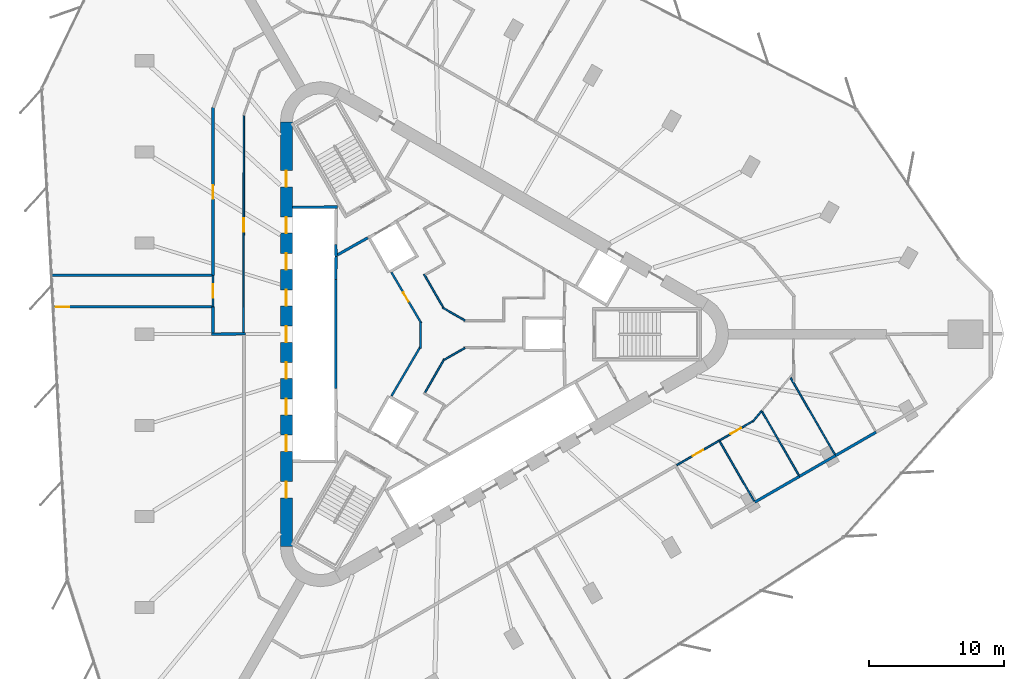
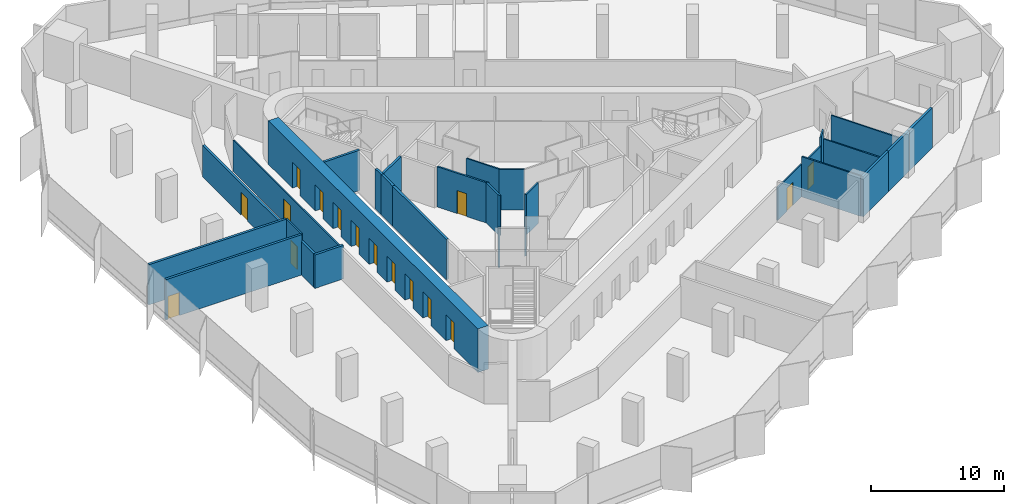
# One storey, part 9 of 14: 29 walls, 16 doors, 16 openings.
"""IFC4 building model written with IfcOpenShell, lengths in metres."""

from ifc_helpers import new_model, si_unit, direction, frame, frame_2d, origin, place, context, subcontext, project, spatial, rectangle, extrude, material, layer, layer_set, type_object, element, fill, save


model = new_model("IFC4")

# Units and contexts
model_context = context("Model", 3, precision=1e-05, world=origin(), true_north=direction((0.0, 1.0)))
body_context = subcontext(model_context, "Body", "Model", "MODEL_VIEW")
ifc_project = project(units=[si_unit("LENGTHUNIT", "METRE"), si_unit("AREAUNIT", "SQUARE_METRE"), si_unit("VOLUMEUNIT", "CUBIC_METRE"), si_unit("PLANEANGLEUNIT", "RADIAN"), si_unit("MASSUNIT", "GRAM", prefix="KILO")], contexts=[model_context])

# Site, building, storey
site_placement = place(None, origin())
site = spatial("IfcSite", under=ifc_project, at=site_placement, CompositionType="ELEMENT")
building_placement = place(site_placement, origin())
building = spatial("IfcBuilding", under=site, at=building_placement, Name="Tanit Gate Tower", CompositionType="ELEMENT")
storey_placement = place(building_placement, frame((0.0, 0.0, 213.199951171875)))
storey = spatial("IfcBuildingStorey", under=building, at=storey_placement, Name="L47", CompositionType="ELEMENT", Elevation=213.199951171875)

# Wall, openings, doors
ifc_material_1 = material(Name="Concrete C50/60", Category="concrete")
ifc_layer_1 = layer(ifc_material_1, 0.89990234375)
ifc_layer_set_1 = layer_set([ifc_layer_1], Name="CORE WALL 900 C50/60")
wall_type_1 = type_object("IfcWallType", Name="CORE WALL 900 C50/60", PredefinedType="SHEAR", material=ifc_layer_set_1)
wall_1_placement = place(storey_placement, frame((-11.64990234375, 15.76171875, 0.0), z_axis=(0.0, 0.0, 1.0), x_axis=(0.0, -1.0, 0.0)))
wall_1 = element("IfcWall", 1, at=wall_1_placement, inside=storey, type_object=wall_type_1, Name="CORE WALL", PredefinedType="SHEAR", context=body_context, shape_type="SweptSolid", body=[
    extrude(rectangle(XDim=31.5234375, YDim=0.89990234375, at=frame_2d((15.76171875, 0.0))), origin(), (0.0, 0.0, 1.0), 4.0),
])
opening_1_placement = place(wall_1_placement, frame((7.061767578125, 0.0, 0.0)))
opening_1 = element("IfcOpeningElement", 2, at=opening_1_placement, cuts=wall_1, Name="Opening LDML1-S12", PredefinedType="OPENING", context=body_context, shape_type="SweptSolid", body=[
    extrude(rectangle(XDim=1.199951171875, YDim=2.39990234375, at=frame_2d((0.60009765625, 1.199951171875))), frame((0.0, 0.4599609375, 0.0), z_axis=(0.0, -1.0, 0.0), x_axis=(1.0, 0.0, 0.0)), (0.0, 0.0, 1.0), 0.919921875),
])
opening_2_placement = place(wall_1_placement, frame((9.76171875, 0.0, 0.0)))
opening_2 = element("IfcOpeningElement", 3, at=opening_2_placement, cuts=wall_1, Name="Opening LDML2-S12", PredefinedType="OPENING", context=body_context, shape_type="SweptSolid", body=[
    extrude(rectangle(XDim=1.199951171875, YDim=2.39990234375, at=frame_2d((0.60009765625, 1.199951171875))), frame((0.0, 0.4599609375, 0.0), z_axis=(0.0, -1.0, 0.0), x_axis=(1.0, 0.0, 0.0)), (0.0, 0.0, 1.0), 0.919921875),
])
opening_3_placement = place(wall_1_placement, frame((12.461669921875, 0.0, 0.0)))
opening_3 = element("IfcOpeningElement", 4, at=opening_3_placement, cuts=wall_1, Name="Opening LDML3-S12", PredefinedType="OPENING", context=body_context, shape_type="SweptSolid", body=[
    extrude(rectangle(XDim=1.199951171875, YDim=2.39990234375, at=frame_2d((0.60009765625, 1.199951171875))), frame((0.0, 0.4599609375, 0.0), z_axis=(0.0, -1.0, 0.0), x_axis=(1.0, 0.0, 0.0)), (0.0, 0.0, 1.0), 0.919921875),
])
opening_4_placement = place(wall_1_placement, frame((15.16162109375, 0.0, 0.0)))
opening_4 = element("IfcOpeningElement", 5, at=opening_4_placement, cuts=wall_1, Name="Opening LDML4-S12", PredefinedType="OPENING", context=body_context, shape_type="SweptSolid", body=[
    extrude(rectangle(XDim=1.199951171875, YDim=2.39990234375, at=frame_2d((0.60009765625, 1.199951171875))), frame((0.0, 0.4599609375, 0.0), z_axis=(0.0, -1.0, 0.0), x_axis=(1.0, 0.0, 0.0)), (0.0, 0.0, 1.0), 0.919921875),
])
opening_5_placement = place(wall_1_placement, frame((17.86181640625, 0.0, 0.0)))
opening_5 = element("IfcOpeningElement", 6, at=opening_5_placement, cuts=wall_1, Name="Opening LDML5-S12", PredefinedType="OPENING", context=body_context, shape_type="SweptSolid", body=[
    extrude(rectangle(XDim=1.199951171875, YDim=2.39990234375, at=frame_2d((0.60009765625, 1.199951171875))), frame((0.0, 0.4599609375, 0.0), z_axis=(0.0, -1.0, 0.0), x_axis=(1.0, 0.0, 0.0)), (0.0, 0.0, 1.0), 0.919921875),
])
opening_6_placement = place(wall_1_placement, frame((20.561767578125, 0.0, 0.0)))
opening_6 = element("IfcOpeningElement", 7, at=opening_6_placement, cuts=wall_1, Name="Opening LDML6-S12", PredefinedType="OPENING", context=body_context, shape_type="SweptSolid", body=[
    extrude(rectangle(XDim=1.199951171875, YDim=2.39990234375, at=frame_2d((0.60009765625, 1.199951171875))), frame((0.0, 0.4599609375, 0.0), z_axis=(0.0, -1.0, 0.0), x_axis=(1.0, 0.0, 0.0)), (0.0, 0.0, 1.0), 0.919921875),
])
opening_7_placement = place(wall_1_placement, frame((23.26171875, 0.0, 0.0)))
opening_7 = element("IfcOpeningElement", 8, at=opening_7_placement, cuts=wall_1, Name="Opening LDML7-S12", PredefinedType="OPENING", context=body_context, shape_type="SweptSolid", body=[
    extrude(rectangle(XDim=1.199951171875, YDim=2.39990234375, at=frame_2d((0.60009765625, 1.199951171875))), frame((0.0, 0.4599609375, 0.0), z_axis=(0.0, -1.0, 0.0), x_axis=(1.0, 0.0, 0.0)), (0.0, 0.0, 1.0), 0.919921875),
])
opening_8_placement = place(wall_1_placement, frame((3.61181640625, 0.0, 0.0)))
opening_8 = element("IfcOpeningElement", 9, at=opening_8_placement, cuts=wall_1, Name="Opening F12-S12-FL2", PredefinedType="OPENING", context=body_context, shape_type="SweptSolid", body=[
    extrude(rectangle(XDim=1.199951171875, YDim=2.39990234375, at=frame_2d((0.60009765625, 1.199951171875))), frame((0.0, 0.4599609375, 0.0), z_axis=(0.0, -1.0, 0.0), x_axis=(1.0, 0.0, 0.0)), (0.0, 0.0, 1.0), 0.919921875),
])
opening_9_placement = place(wall_1_placement, frame((26.711669921875, 0.0, 0.0)))
opening_9 = element("IfcOpeningElement", 10, at=opening_9_placement, cuts=wall_1, Name="Opening F12-S12-S3", PredefinedType="OPENING", context=body_context, shape_type="SweptSolid", body=[
    extrude(rectangle(XDim=1.199951171875, YDim=2.39990234375, at=frame_2d((0.60009765625, 1.199951171875))), frame((0.0, 0.4599609375, 0.0), z_axis=(0.0, -1.0, 0.0), x_axis=(1.0, 0.0, 0.0)), (0.0, 0.0, 1.0), 0.919921875),
])
ifc_material_2 = material(Name="Fire-rated steel door leaf", Category="steel")
door_type_1 = type_object("IfcDoorType", Name="INT-DOOR-FIRE-LOBBY-1200", OperationType="NOTDEFINED", PredefinedType="USERDEFINED", material=ifc_material_2)
door_1_placement = place(opening_8_placement, origin())
door_1 = element("IfcDoor", 11, at=door_1_placement, inside=storey, type_object=door_type_1, Name="Door F12-S12-FL2", ObjectType="FIRE DOOR", OperationType="SINGLE_SWING_LEFT", OverallHeight=2.39990234375, OverallWidth=1.199951171875, PredefinedType="USERDEFINED", context=body_context, shape_type="SweptSolid", body=[
    extrude(rectangle(XDim=1.199951171875, YDim=2.39990234375, at=frame_2d((0.60009765625, 1.199951171875))), frame((0.0, 0.02490234375, 0.0), z_axis=(0.0, -1.0, 0.0), x_axis=(1.0, 0.0, 0.0)), (0.0, 0.0, 1.0), 0.050048828125),
])
fill(opening_8, door_1)
door_2_placement = place(opening_9_placement, origin())
door_2 = element("IfcDoor", 12, at=door_2_placement, inside=storey, type_object=door_type_1, Name="Door F12-S12-S3", ObjectType="FIRE DOOR", OperationType="SINGLE_SWING_RIGHT", OverallHeight=2.39990234375, OverallWidth=1.199951171875, PredefinedType="USERDEFINED", context=body_context, shape_type="SweptSolid", body=[
    extrude(rectangle(XDim=1.199951171875, YDim=2.39990234375, at=frame_2d((0.60009765625, 1.199951171875))), frame((0.0, 0.02490234375, 0.0), z_axis=(0.0, -1.0, 0.0), x_axis=(1.0, 0.0, 0.0)), (0.0, 0.0, 1.0), 0.050048828125),
])
fill(opening_9, door_2)
ifc_material_3 = material(Name="Stainless steel sliding door leaf", Category="steel")
door_type_2 = type_object("IfcDoorType", Name="INT-DOOR-LANDING-1200", OperationType="NOTDEFINED", PredefinedType="USERDEFINED", material=ifc_material_3)
door_3_placement = place(opening_1_placement, origin())
door_3 = element("IfcDoor", 13, at=door_3_placement, inside=storey, type_object=door_type_2, Name="Door LDML1-S12", ObjectType="LANDING DOOR", OperationType="SLIDING_TO_LEFT", OverallHeight=2.39990234375, OverallWidth=1.199951171875, PredefinedType="USERDEFINED", context=body_context, shape_type="SweptSolid", body=[
    extrude(rectangle(XDim=1.199951171875, YDim=2.39990234375, at=frame_2d((0.60009765625, 1.199951171875))), frame((0.0, 0.02490234375, 0.0), z_axis=(0.0, -1.0, 0.0), x_axis=(1.0, 0.0, 0.0)), (0.0, 0.0, 1.0), 0.050048828125),
])
fill(opening_1, door_3)
door_4_placement = place(opening_2_placement, origin())
door_4 = element("IfcDoor", 14, at=door_4_placement, inside=storey, type_object=door_type_2, Name="Door LDML2-S12", ObjectType="LANDING DOOR", OperationType="SLIDING_TO_LEFT", OverallHeight=2.39990234375, OverallWidth=1.199951171875, PredefinedType="USERDEFINED", context=body_context, shape_type="SweptSolid", body=[
    extrude(rectangle(XDim=1.199951171875, YDim=2.39990234375, at=frame_2d((0.60009765625, 1.199951171875))), frame((0.0, 0.02490234375, 0.0), z_axis=(0.0, -1.0, 0.0), x_axis=(1.0, 0.0, 0.0)), (0.0, 0.0, 1.0), 0.050048828125),
])
fill(opening_2, door_4)
door_5_placement = place(opening_3_placement, origin())
door_5 = element("IfcDoor", 15, at=door_5_placement, inside=storey, type_object=door_type_2, Name="Door LDML3-S12", ObjectType="LANDING DOOR", OperationType="SLIDING_TO_LEFT", OverallHeight=2.39990234375, OverallWidth=1.199951171875, PredefinedType="USERDEFINED", context=body_context, shape_type="SweptSolid", body=[
    extrude(rectangle(XDim=1.199951171875, YDim=2.39990234375, at=frame_2d((0.60009765625, 1.199951171875))), frame((0.0, 0.02490234375, 0.0), z_axis=(0.0, -1.0, 0.0), x_axis=(1.0, 0.0, 0.0)), (0.0, 0.0, 1.0), 0.050048828125),
])
fill(opening_3, door_5)
door_6_placement = place(opening_4_placement, origin())
door_6 = element("IfcDoor", 16, at=door_6_placement, inside=storey, type_object=door_type_2, Name="Door LDML4-S12", ObjectType="LANDING DOOR", OperationType="SLIDING_TO_LEFT", OverallHeight=2.39990234375, OverallWidth=1.199951171875, PredefinedType="USERDEFINED", context=body_context, shape_type="SweptSolid", body=[
    extrude(rectangle(XDim=1.199951171875, YDim=2.39990234375, at=frame_2d((0.60009765625, 1.199951171875))), frame((0.0, 0.02490234375, 0.0), z_axis=(0.0, -1.0, 0.0), x_axis=(1.0, 0.0, 0.0)), (0.0, 0.0, 1.0), 0.050048828125),
])
fill(opening_4, door_6)
door_7_placement = place(opening_5_placement, origin())
door_7 = element("IfcDoor", 17, at=door_7_placement, inside=storey, type_object=door_type_2, Name="Door LDML5-S12", ObjectType="LANDING DOOR", OperationType="SLIDING_TO_LEFT", OverallHeight=2.39990234375, OverallWidth=1.199951171875, PredefinedType="USERDEFINED", context=body_context, shape_type="SweptSolid", body=[
    extrude(rectangle(XDim=1.199951171875, YDim=2.39990234375, at=frame_2d((0.60009765625, 1.199951171875))), frame((0.0, 0.02490234375, 0.0), z_axis=(0.0, -1.0, 0.0), x_axis=(1.0, 0.0, 0.0)), (0.0, 0.0, 1.0), 0.050048828125),
])
fill(opening_5, door_7)
door_8_placement = place(opening_6_placement, origin())
door_8 = element("IfcDoor", 18, at=door_8_placement, inside=storey, type_object=door_type_2, Name="Door LDML6-S12", ObjectType="LANDING DOOR", OperationType="SLIDING_TO_LEFT", OverallHeight=2.39990234375, OverallWidth=1.199951171875, PredefinedType="USERDEFINED", context=body_context, shape_type="SweptSolid", body=[
    extrude(rectangle(XDim=1.199951171875, YDim=2.39990234375, at=frame_2d((0.60009765625, 1.199951171875))), frame((0.0, 0.02490234375, 0.0), z_axis=(0.0, -1.0, 0.0), x_axis=(1.0, 0.0, 0.0)), (0.0, 0.0, 1.0), 0.050048828125),
])
fill(opening_6, door_8)
door_9_placement = place(opening_7_placement, origin())
door_9 = element("IfcDoor", 19, at=door_9_placement, inside=storey, type_object=door_type_2, Name="Door LDML7-S12", ObjectType="LANDING DOOR", OperationType="SLIDING_TO_LEFT", OverallHeight=2.39990234375, OverallWidth=1.199951171875, PredefinedType="USERDEFINED", context=body_context, shape_type="SweptSolid", body=[
    extrude(rectangle(XDim=1.199951171875, YDim=2.39990234375, at=frame_2d((0.60009765625, 1.199951171875))), frame((0.0, 0.02490234375, 0.0), z_axis=(0.0, -1.0, 0.0), x_axis=(1.0, 0.0, 0.0)), (0.0, 0.0, 1.0), 0.050048828125),
])
fill(opening_7, door_9)

# Walls
ifc_material_4 = material(Name="Fire-rated gypsum board partition")
ifc_layer_2 = layer(ifc_material_4, 0.199951171875)
ifc_layer_set_2 = layer_set([ifc_layer_2], Name="INT-WALL-COMPARTMENT")
wall_type_2 = type_object("IfcWallType", Name="INT-WALL-COMPARTMENT", PredefinedType="PARTITIONING", material=ifc_layer_set_2)
wall_2_placement = place(storey_placement, frame((-5.600341796875, 7.16015625, 0.0), z_axis=(0.0, 0.0, 1.0), x_axis=(-0.871340486379, -0.490678873396, 0.0)))
element("IfcWall", 20, at=wall_2_placement, inside=storey, type_object=wall_type_2, Name="Wall Compartment W061", PredefinedType="PARTITIONING", context=body_context, shape_type="SweptSolid", body=[
    extrude(rectangle(XDim=2.580810546875, YDim=0.199951171875, at=frame_2d((1.29052734375, 0.0))), origin(), (0.0, 0.0, 1.0), 3.699951171875),
])
wall_3_placement = place(storey_placement, frame((-17.199951171875, -0.001220703125, 0.0), z_axis=(0.0, 0.0, 1.0), x_axis=(0.999915662945, 0.012987185857, 0.0)))
element("IfcWall", 21, at=wall_3_placement, inside=storey, type_object=wall_type_2, Name="Wall Compartment W090", PredefinedType="PARTITIONING", context=body_context, shape_type="SweptSolid", body=[
    extrude(rectangle(XDim=2.500244140625, YDim=0.199951171875, at=frame_2d((1.25, 0.0))), origin(), (0.0, 0.0, 1.0), 3.070068359375),
])

# Wall, opening, door
wall_4_placement = place(storey_placement, frame((-17.10009765625, 16.82275390625, 0.0), z_axis=(0.0, 0.0, 1.0), x_axis=(0.0, -1.0, 0.0)))
wall_4 = element("IfcWall", 22, at=wall_4_placement, inside=storey, type_object=wall_type_2, Name="Wall Compartment W092", PredefinedType="PARTITIONING", context=body_context, shape_type="SweptSolid", body=[
    extrude(rectangle(XDim=12.47265625, YDim=0.199951171875, at=frame_2d((6.236328125, 0.0))), origin(), (0.0, 0.0, 1.0), 2.880126953125),
])
opening_10_placement = place(wall_4_placement, frame((5.7763671875, 0.0, 0.0)))
opening_10 = element("IfcOpeningElement", 23, at=opening_10_placement, cuts=wall_4, Name="Opening F10-S12-31", PredefinedType="OPENING", context=body_context, shape_type="SweptSolid", body=[
    extrude(rectangle(XDim=1.0, YDim=2.10009765625, at=frame_2d((0.5, 1.050048828125))), frame((0.0, 0.10986328125, 0.0), z_axis=(0.0, -1.0, 0.0), x_axis=(1.0, 0.0, 0.0)), (0.0, 0.0, 1.0), 0.219970703125),
])
ifc_material_5 = material(Name="Fire-rated steel door leaf", Category="steel")
door_type_3 = type_object("IfcDoorType", Name="INT-DOOR-FIRE-1000", OperationType="NOTDEFINED", PredefinedType="USERDEFINED", material=ifc_material_5)
door_10_placement = place(opening_10_placement, origin())
door_10 = element("IfcDoor", 24, at=door_10_placement, inside=storey, type_object=door_type_3, Name="Door F10-S12-31", ObjectType="FIRE DOOR", OperationType="SINGLE_SWING_RIGHT", OverallHeight=2.10009765625, OverallWidth=1.0, PredefinedType="USERDEFINED", context=body_context, shape_type="SweptSolid", body=[
    extrude(rectangle(XDim=1.0, YDim=2.10009765625, at=frame_2d((0.5, 1.050048828125))), frame((0.0, 0.02490234375, 0.0), z_axis=(0.0, -1.0, 0.0), x_axis=(1.0, 0.0, 0.0)), (0.0, 0.0, 1.0), 0.050048828125),
])
fill(opening_10, door_10)

# Wall
wall_5_placement = place(storey_placement, frame((-17.10009765625, 2.050048828125, 0.0), z_axis=(0.0, 0.0, 1.0), x_axis=(0.0, -1.0, 0.0)))
element("IfcWall", 25, at=wall_5_placement, inside=storey, type_object=wall_type_2, Name="Wall Compartment W091", PredefinedType="PARTITIONING", context=body_context, shape_type="SweptSolid", body=[
    extrude(rectangle(XDim=1.949951171875, YDim=0.199951171875, at=frame_2d((0.97509765625, 0.0))), origin(), (0.0, 0.0, 1.0), 3.070068359375),
])

# Wall, opening, door
wall_6_placement = place(storey_placement, frame((-28.978515625, 2.030029296875, 0.0), z_axis=(0.0, 0.0, 1.0), x_axis=(1.0, 0.0, 0.0)))
wall_6 = element("IfcWall", 26, at=wall_6_placement, inside=storey, type_object=wall_type_2, Name="Wall Compartment W119", PredefinedType="PARTITIONING", context=body_context, shape_type="SweptSolid", body=[
    extrude(rectangle(XDim=11.818603515625, YDim=0.199951171875, at=frame_2d((5.9091796875, 0.0))), origin(), (0.0, 0.0, 1.0), 3.699951171875),
])
opening_11_placement = place(wall_6_placement, frame((0.199951171875, 0.0, 0.0)))
opening_11 = element("IfcOpeningElement", 27, at=opening_11_placement, cuts=wall_6, Name="Opening F10-S12-30", PredefinedType="OPENING", context=body_context, shape_type="SweptSolid", body=[
    extrude(rectangle(XDim=1.0, YDim=2.10009765625, at=frame_2d((0.5, 1.050048828125))), frame((0.0, 0.10986328125, 0.0), z_axis=(0.0, -1.0, 0.0), x_axis=(1.0, 0.0, 0.0)), (0.0, 0.0, 1.0), 0.219970703125),
])
door_11_placement = place(opening_11_placement, origin())
door_11 = element("IfcDoor", 28, at=door_11_placement, inside=storey, type_object=door_type_3, Name="Door F10-S12-30", ObjectType="FIRE DOOR", OperationType="SINGLE_SWING_RIGHT", OverallHeight=2.10009765625, OverallWidth=1.0, PredefinedType="USERDEFINED", context=body_context, shape_type="SweptSolid", body=[
    extrude(rectangle(XDim=1.0, YDim=2.10009765625, at=frame_2d((0.5, 1.050048828125))), frame((0.0, 0.02490234375, 0.0), z_axis=(0.0, -1.0, 0.0), x_axis=(1.0, 0.0, 0.0)), (0.0, 0.0, 1.0), 0.050048828125),
])
fill(opening_11, door_11)

# Walls
wall_7_placement = place(storey_placement, frame((-17.159912109375, 4.3701171875, 0.0), z_axis=(0.0, 0.0, 1.0), x_axis=(-1.0, 0.0, 0.0)))
element("IfcWall", 29, at=wall_7_placement, inside=storey, type_object=wall_type_2, Name="Wall Compartment W120", PredefinedType="PARTITIONING", context=body_context, shape_type="SweptSolid", body=[
    extrude(rectangle(XDim=11.9404296875, YDim=0.199951171875, at=frame_2d((5.97021484375, 0.0))), origin(), (0.0, 0.0, 1.0), 3.699951171875),
])
wall_8_placement = place(storey_placement, frame((32.154052734375, -7.278076171875, 0.0), z_axis=(0.0, 0.0, 1.0), x_axis=(-0.866015890035, -0.500016477935, 0.0)))
element("IfcWall", 30, at=wall_8_placement, inside=storey, type_object=wall_type_2, Name="Wall Compartment W142", PredefinedType="PARTITIONING", context=body_context, shape_type="SweptSolid", body=[
    extrude(rectangle(XDim=3.47412109375, YDim=0.199951171875, at=frame_2d((1.737060546875, 0.0))), origin(), (0.0, 0.0, 1.0), 3.699951171875),
])
wall_9_placement = place(storey_placement, frame((29.1455078125, -9.01513671875, 0.0), z_axis=(0.0, 0.0, 1.0), x_axis=(-0.866051371129, -0.499955020542, 0.0)))
element("IfcWall", 31, at=wall_9_placement, inside=storey, type_object=wall_type_2, Name="Wall Compartment W141", PredefinedType="PARTITIONING", context=body_context, shape_type="SweptSolid", body=[
    extrude(rectangle(XDim=3.089599609375, YDim=0.199951171875, at=frame_2d((1.544921875, 0.0))), origin(), (0.0, 0.0, 1.0), 3.699951171875),
])
wall_10_placement = place(storey_placement, frame((26.4697265625, -10.559814453125, 0.0), z_axis=(0.0, 0.0, 1.0), x_axis=(-0.866017015294, -0.50001452901, 0.0)))
element("IfcWall", 32, at=wall_10_placement, inside=storey, type_object=wall_type_2, Name="Wall Compartment W140", PredefinedType="PARTITIONING", context=body_context, shape_type="SweptSolid", body=[
    extrude(rectangle(XDim=3.8349609375, YDim=0.199951171875, at=frame_2d((1.91748046875, 0.0))), origin(), (0.0, 0.0, 1.0), 3.699951171875),
])
ifc_material_6 = material(Name="Gypsum board partition")
ifc_layer_3 = layer(ifc_material_6, 0.1201171875)
ifc_layer_set_3 = layer_set([ifc_layer_3], Name="INT-WALL-PARTITION")
wall_type_3 = type_object("IfcWallType", Name="INT-WALL-PARTITION", PredefinedType="PARTITIONING", material=ifc_layer_set_3)
wall_11_placement = place(storey_placement, frame((0.09521484375, -1.8349609375, 0.0), z_axis=(0.0, 0.0, 1.0), x_axis=(-0.499980071345, -0.866036909293, 0.0)))
element("IfcWall", 33, at=wall_11_placement, inside=storey, type_object=wall_type_3, Name="Wall Partition W074", PredefinedType="PARTITIONING", context=body_context, shape_type="SweptSolid", body=[
    extrude(rectangle(XDim=2.8984375, YDim=0.1201171875, at=frame_2d((1.44921875, 0.0))), origin(), (0.0, 0.0, 1.0), 3.699951171875),
])
wall_12_placement = place(storey_placement, frame((1.629150390625, -1.009521484375, 0.0), z_axis=(0.0, 0.0, 1.0), x_axis=(-0.866046528967, -0.499963408325, 0.0)))
element("IfcWall", 34, at=wall_12_placement, inside=storey, type_object=wall_type_3, Name="Wall Partition W075", PredefinedType="PARTITIONING", context=body_context, shape_type="SweptSolid", body=[
    extrude(rectangle(XDim=1.812744140625, YDim=0.1201171875, at=frame_2d((0.90625, 0.0))), origin(), (0.0, 0.0, 1.0), 3.699951171875),
])
wall_13_placement = place(storey_placement, frame((-0.046630859375, 1.97705078125, 0.0), z_axis=(0.0, 0.0, 1.0), x_axis=(0.865998615205, -0.500046396311, 0.0)))
element("IfcWall", 35, at=wall_13_placement, inside=storey, type_object=wall_type_3, Name="Wall Partition W081", PredefinedType="PARTITIONING", context=body_context, shape_type="SweptSolid", body=[
    extrude(rectangle(XDim=1.935302734375, YDim=0.1201171875, at=frame_2d((0.9677734375, 0.0))), origin(), (0.0, 0.0, 1.0), 3.699951171875),
])
wall_14_placement = place(storey_placement, frame((-1.4140625, 4.448974609375, 0.0), z_axis=(0.0, 0.0, 1.0), x_axis=(0.500028961621, -0.866008682139, 0.0)))
element("IfcWall", 36, at=wall_14_placement, inside=storey, type_object=wall_type_3, Name="Wall Partition W082", PredefinedType="PARTITIONING", context=body_context, shape_type="SweptSolid", body=[
    extrude(rectangle(XDim=2.895751953125, YDim=0.1201171875, at=frame_2d((1.44775390625, 0.0))), origin(), (0.0, 0.0, 1.0), 3.699951171875),
])

# Wall, opening, door
wall_15_placement = place(storey_placement, frame((-14.800048828125, 16.257080078125, 0.0), z_axis=(0.0, 0.0, 1.0), x_axis=(-0.001847148781, -0.999998294019, 0.0)))
wall_15 = element("IfcWall", 37, at=wall_15_placement, inside=storey, type_object=wall_type_3, Name="Wall Partition W088", PredefinedType="PARTITIONING", context=body_context, shape_type="SweptSolid", body=[
    extrude(rectangle(XDim=16.257080078125, YDim=0.1201171875, at=frame_2d((8.12841796875, 0.0))), origin(), (0.0, 0.0, 1.0), 2.880126953125),
])
opening_12_placement = place(wall_15_placement, frame((7.628662109375, 0.0, 0.0)))
opening_12 = element("IfcOpeningElement", 38, at=opening_12_placement, cuts=wall_15, Name="Opening D10-S12-17", PredefinedType="OPENING", context=body_context, shape_type="SweptSolid", body=[
    extrude(rectangle(XDim=1.0, YDim=2.10009765625, at=frame_2d((0.5, 1.050048828125))), frame((0.0, 0.070068359375, 0.0), z_axis=(0.0, -1.0, 0.0), x_axis=(1.0, 0.0, 0.0)), (0.0, 0.0, 1.0), 0.14013671875),
])
ifc_material_7 = material(Name="Timber door leaf", Category="wood")
door_type_4 = type_object("IfcDoorType", Name="INT-DOOR-SINGLE-1000", OperationType="NOTDEFINED", PredefinedType="NOTDEFINED", material=ifc_material_7)
door_12_placement = place(opening_12_placement, origin())
door_12 = element("IfcDoor", 39, at=door_12_placement, inside=storey, type_object=door_type_4, Name="Door D10-S12-17", OperationType="SINGLE_SWING_LEFT", OverallHeight=2.10009765625, OverallWidth=1.0, PredefinedType="NOTDEFINED", context=body_context, shape_type="SweptSolid", body=[
    extrude(rectangle(XDim=1.0, YDim=2.10009765625, at=frame_2d((0.5, 1.050048828125))), frame((0.0, 0.02490234375, 0.0), z_axis=(0.0, -1.0, 0.0), x_axis=(1.0, 0.0, 0.0)), (0.0, 0.0, 1.0), 0.050048828125),
])
fill(opening_12, door_12)

wall_16_placement = place(storey_placement, frame((-17.10009765625, 4.35009765625, 0.0), z_axis=(0.0, 0.0, 1.0), x_axis=(0.0, -1.0, 0.0)))
wall_16 = element("IfcWall", 40, at=wall_16_placement, inside=storey, type_object=wall_type_3, Name="Wall Partition W089", PredefinedType="PARTITIONING", context=body_context, shape_type="SweptSolid", body=[
    extrude(rectangle(XDim=2.300048828125, YDim=0.1201171875, at=frame_2d((1.14990234375, 0.0))), origin(), (0.0, 0.0, 1.0), 3.699951171875),
])
opening_13_placement = place(wall_16_placement, frame((0.64990234375, 0.0, 0.0)))
opening_13 = element("IfcOpeningElement", 41, at=opening_13_placement, cuts=wall_16, Name="Opening D10-S12-18", PredefinedType="OPENING", context=body_context, shape_type="SweptSolid", body=[
    extrude(rectangle(XDim=1.0, YDim=2.10009765625, at=frame_2d((0.5, 1.050048828125))), frame((0.0, 0.070068359375, 0.0), z_axis=(0.0, -1.0, 0.0), x_axis=(1.0, 0.0, 0.0)), (0.0, 0.0, 1.0), 0.14013671875),
])
door_13_placement = place(opening_13_placement, origin())
door_13 = element("IfcDoor", 42, at=door_13_placement, inside=storey, type_object=door_type_4, Name="Door D10-S12-18", OperationType="SINGLE_SWING_LEFT", OverallHeight=2.10009765625, OverallWidth=1.0, PredefinedType="NOTDEFINED", context=body_context, shape_type="SweptSolid", body=[
    extrude(rectangle(XDim=1.0, YDim=2.10009765625, at=frame_2d((0.5, 1.050048828125))), frame((0.0, 0.02490234375, 0.0), z_axis=(0.0, -1.0, 0.0), x_axis=(1.0, 0.0, 0.0)), (0.0, 0.0, 1.0), 0.050048828125),
])
fill(opening_13, door_13)

wall_17_placement = place(storey_placement, frame((17.357421875, -9.72412109375, 0.0), z_axis=(0.0, 0.0, 1.0), x_axis=(0.866021334019, 0.500007048974, 0.0)))
wall_17 = element("IfcWall", 43, at=wall_17_placement, inside=storey, type_object=wall_type_3, Name="Wall Partition W114", PredefinedType="PARTITIONING", context=body_context, shape_type="SweptSolid", body=[
    extrude(rectangle(XDim=3.638671875, YDim=0.1201171875, at=frame_2d((1.8193359375, 0.0))), origin(), (0.0, 0.0, 1.0), 2.97998046875),
])
opening_14_placement = place(wall_17_placement, frame((1.369384765625, 0.0, 0.0)))
opening_14 = element("IfcOpeningElement", 44, at=opening_14_placement, cuts=wall_17, Name="Opening D09-S12-25", PredefinedType="OPENING", context=body_context, shape_type="SweptSolid", body=[
    extrude(rectangle(XDim=0.89990234375, YDim=2.10009765625, at=frame_2d((0.449951171875, 1.050048828125))), frame((0.0, 0.070068359375, 0.0), z_axis=(0.0, -1.0, 0.0), x_axis=(1.0, 0.0, 0.0)), (0.0, 0.0, 1.0), 0.14013671875),
])
ifc_material_8 = material(Name="Timber door leaf", Category="wood")
door_type_5 = type_object("IfcDoorType", Name="INT-DOOR-SINGLE-900", OperationType="NOTDEFINED", PredefinedType="NOTDEFINED", material=ifc_material_8)
door_14_placement = place(opening_14_placement, origin())
door_14 = element("IfcDoor", 45, at=door_14_placement, inside=storey, type_object=door_type_5, Name="Door D09-S12-25", OperationType="SINGLE_SWING_LEFT", OverallHeight=2.10009765625, OverallWidth=0.89990234375, PredefinedType="NOTDEFINED", context=body_context, shape_type="SweptSolid", body=[
    extrude(rectangle(XDim=0.89990234375, YDim=2.10009765625, at=frame_2d((0.449951171875, 1.050048828125))), frame((0.0, 0.02490234375, 0.0), z_axis=(0.0, -1.0, 0.0), x_axis=(1.0, 0.0, 0.0)), (0.0, 0.0, 1.0), 0.050048828125),
])
fill(opening_14, door_14)

wall_18_placement = place(storey_placement, frame((20.508544921875, -7.90478515625, 0.0), z_axis=(0.0, 0.0, 1.0), x_axis=(0.866028890243, 0.499993961228, 0.0)))
wall_18 = element("IfcWall", 46, at=wall_18_placement, inside=storey, type_object=wall_type_3, Name="Wall Partition W116", PredefinedType="PARTITIONING", context=body_context, shape_type="SweptSolid", body=[
    extrude(rectangle(XDim=2.85400390625, YDim=0.1201171875, at=frame_2d((1.427001953125, 0.0))), origin(), (0.0, 0.0, 1.0), 2.880126953125),
])
opening_15_placement = place(wall_18_placement, frame((0.97705078125, 0.0, 0.0)))
opening_15 = element("IfcOpeningElement", 47, at=opening_15_placement, cuts=wall_18, Name="Opening D09-S12-26", PredefinedType="OPENING", context=body_context, shape_type="SweptSolid", body=[
    extrude(rectangle(XDim=0.89990234375, YDim=2.10009765625, at=frame_2d((0.449951171875, 1.050048828125))), frame((0.0, 0.070068359375, 0.0), z_axis=(0.0, -1.0, 0.0), x_axis=(1.0, 0.0, 0.0)), (0.0, 0.0, 1.0), 0.14013671875),
])
door_15_placement = place(opening_15_placement, origin())
door_15 = element("IfcDoor", 48, at=door_15_placement, inside=storey, type_object=door_type_5, Name="Door D09-S12-26", OperationType="SINGLE_SWING_RIGHT", OverallHeight=2.10009765625, OverallWidth=0.89990234375, PredefinedType="NOTDEFINED", context=body_context, shape_type="SweptSolid", body=[
    extrude(rectangle(XDim=0.89990234375, YDim=2.10009765625, at=frame_2d((0.449951171875, 1.050048828125))), frame((0.0, 0.02490234375, 0.0), z_axis=(0.0, -1.0, 0.0), x_axis=(1.0, 0.0, 0.0)), (0.0, 0.0, 1.0), 0.050048828125),
])
fill(opening_15, door_15)

# Walls
wall_19_placement = place(storey_placement, frame((22.99365234375, -6.49365234375, 0.0), z_axis=(0.0, 0.0, 1.0), x_axis=(0.642788403247, 0.766043777242, 0.0)))
element("IfcWall", 49, at=wall_19_placement, inside=storey, type_object=wall_type_3, Name="Wall Partition W115", PredefinedType="PARTITIONING", context=body_context, shape_type="SweptSolid", body=[
    extrude(rectangle(XDim=1.0498046875, YDim=0.1201171875, at=frame_2d((0.52490234375, 0.0))), origin(), (0.0, 0.0, 1.0), 3.699951171875),
])
wall_20_placement = place(storey_placement, frame((20.53857421875, -7.956787109375, 0.0), z_axis=(0.0, 0.0, 1.0), x_axis=(0.500026528015, -0.866010087286, 0.0)))
element("IfcWall", 50, at=wall_20_placement, inside=storey, type_object=wall_type_3, Name="Wall Partition W148", PredefinedType="PARTITIONING", context=body_context, shape_type="SweptSolid", body=[
    extrude(rectangle(XDim=5.119873046875, YDim=0.1201171875, at=frame_2d((2.56005859375, 0.0))), origin(), (0.0, 0.0, 1.0), 3.699951171875),
])
wall_21_placement = place(storey_placement, frame((26.419677734375, -10.473388671875, 0.0), z_axis=(0.0, 0.0, 1.0), x_axis=(-0.499992537871, 0.866029712004, 0.0)))
element("IfcWall", 51, at=wall_21_placement, inside=storey, type_object=wall_type_3, Name="Wall Partition W149", PredefinedType="PARTITIONING", context=body_context, shape_type="SweptSolid", body=[
    extrude(rectangle(XDim=5.451171875, YDim=0.1201171875, at=frame_2d((2.7255859375, 0.0))), origin(), (0.0, 0.0, 1.0), 2.880126953125),
])
wall_22_placement = place(storey_placement, frame((25.8076171875, -3.233642578125, 0.0), z_axis=(0.0, 0.0, 1.0), x_axis=(0.499992415469, -0.866029782671, 0.0)))
element("IfcWall", 52, at=wall_22_placement, inside=storey, type_object=wall_type_3, Name="Wall Partition W150", PredefinedType="PARTITIONING", context=body_context, shape_type="SweptSolid", body=[
    extrude(rectangle(XDim=6.57568359375, YDim=0.1201171875, at=frame_2d((3.287841796875, 0.0))), origin(), (0.0, 0.0, 1.0), 2.780029296875),
])

# Wall, opening, door
ifc_material_9 = material(Name="Fire-rated gypsum board partition")
ifc_layer_4 = layer(ifc_material_9, 0.14990234375)
ifc_layer_set_4 = layer_set([ifc_layer_4], Name="INT-WALL-RISER")
wall_type_4 = type_object("IfcWallType", Name="INT-WALL-RISER", PredefinedType="PLUMBINGWALL", material=ifc_layer_set_4)
wall_23_placement = place(storey_placement, frame((-1.6240234375, 0.814697265625, 0.0), z_axis=(0.0, 0.0, 1.0), x_axis=(-0.505868173579, 0.862610799237, 0.0)))
wall_23 = element("IfcWall", 53, at=wall_23_placement, inside=storey, type_object=wall_type_4, Name="Wall Riser W065", PredefinedType="PLUMBINGWALL", context=body_context, shape_type="SweptSolid", body=[
    extrude(rectangle(XDim=4.382568359375, YDim=0.14990234375, at=frame_2d((2.19140625, 0.0))), origin(), (0.0, 0.0, 1.0), 3.699951171875),
])
opening_16_placement = place(wall_23_placement, frame((1.855224609375, 0.0, 0.0)))
opening_16 = element("IfcOpeningElement", 54, at=opening_16_placement, cuts=wall_23, Name="Opening R08-S12-10", PredefinedType="OPENING", context=body_context, shape_type="SweptSolid", body=[
    extrude(rectangle(XDim=0.800048828125, YDim=2.10009765625, at=frame_2d((0.39990234375, 1.050048828125))), frame((0.0, 0.0849609375, 0.0), z_axis=(0.0, -1.0, 0.0), x_axis=(1.0, 0.0, 0.0)), (0.0, 0.0, 1.0), 0.169921875),
])
ifc_material_10 = material(Name="Timber door leaf", Category="wood")
door_type_6 = type_object("IfcDoorType", Name="INT-DOOR-RISER-800", OperationType="NOTDEFINED", PredefinedType="USERDEFINED", material=ifc_material_10)
door_16_placement = place(opening_16_placement, origin())
door_16 = element("IfcDoor", 55, at=door_16_placement, inside=storey, type_object=door_type_6, Name="Door R08-S12-10", ObjectType="FIRE DOOR", OperationType="SINGLE_SWING_LEFT", OverallHeight=2.10009765625, OverallWidth=0.800048828125, PredefinedType="USERDEFINED", context=body_context, shape_type="SweptSolid", body=[
    extrude(rectangle(XDim=0.800048828125, YDim=2.10009765625, at=frame_2d((0.39990234375, 1.050048828125))), frame((0.0, 0.02490234375, 0.0), z_axis=(0.0, -1.0, 0.0), x_axis=(1.0, 0.0, 0.0)), (0.0, 0.0, 1.0), 0.050048828125),
])
fill(opening_16, door_16)

# Walls
wall_24_placement = place(storey_placement, frame((-1.688720703125, -1.052978515625, 0.0), z_axis=(0.0, 0.0, 1.0), x_axis=(0.0, 1.0, 0.0)))
element("IfcWall", 56, at=wall_24_placement, inside=storey, type_object=wall_type_4, Name="Wall Riser W066", PredefinedType="PLUMBINGWALL", context=body_context, shape_type="SweptSolid", body=[
    extrude(rectangle(XDim=1.954345703125, YDim=0.14990234375, at=frame_2d((0.97705078125, 0.0))), origin(), (0.0, 0.0, 1.0), 3.699951171875),
])
wall_25_placement = place(storey_placement, frame((-3.841064453125, -4.59521484375, 0.0), z_axis=(0.0, 0.0, 1.0), x_axis=(0.505857207696, 0.862617229959, 0.0)))
element("IfcWall", 57, at=wall_25_placement, inside=storey, type_object=wall_type_4, Name="Wall Riser W067", PredefinedType="PLUMBINGWALL", context=body_context, shape_type="SweptSolid", body=[
    extrude(rectangle(XDim=4.231201171875, YDim=0.14990234375, at=frame_2d((2.11572265625, 0.0))), origin(), (0.0, 0.0, 1.0), 3.699951171875),
])
ifc_material_11 = material(Name="Gypsum shaft wall system")
ifc_layer_5 = layer(ifc_material_11, 0.199951171875)
ifc_layer_set_5 = layer_set([ifc_layer_5], Name="INT-WALL-SHAFT")
wall_type_5 = type_object("IfcWallType", Name="INT-WALL-SHAFT", PredefinedType="PLUMBINGWALL", material=ifc_layer_set_5)
wall_26_placement = place(storey_placement, frame((-11.199951171875, 9.419921875, 0.0), z_axis=(0.0, 0.0, 1.0), x_axis=(0.999957167047, 0.009255488683, 0.0)))
element("IfcWall", 58, at=wall_26_placement, inside=storey, type_object=wall_type_5, Name="Wall Shaft W001", PredefinedType="PLUMBINGWALL", context=body_context, shape_type="SweptSolid", body=[
    extrude(rectangle(XDim=3.35009765625, YDim=0.199951171875, at=frame_2d((1.675048828125, 0.0))), origin(), (0.0, 0.0, 1.0), 3.699951171875),
])
wall_27_placement = place(storey_placement, frame((-7.97705078125, 6.650146484375, 0.0), z_axis=(0.0, 0.0, 1.0), x_axis=(0.030861509705, -0.999523670164, 0.0)))
element("IfcWall", 59, at=wall_27_placement, inside=storey, type_object=wall_type_5, Name="Wall Shaft W003", PredefinedType="PLUMBINGWALL", context=body_context, shape_type="SweptSolid", body=[
    extrude(rectangle(XDim=0.878173828125, YDim=0.199951171875, at=frame_2d((0.43896484375, 0.0))), origin(), (0.0, 0.0, 1.0), 3.699951171875),
])
wall_28_placement = place(storey_placement, frame((-7.948974609375, 5.894287109375, 0.0), z_axis=(0.0, 0.0, 1.0), x_axis=(-0.016809909365, -0.999858703491, 0.0)))
element("IfcWall", 60, at=wall_28_placement, inside=storey, type_object=wall_type_5, Name="Wall Shaft W004", PredefinedType="PLUMBINGWALL", context=body_context, shape_type="SweptSolid", body=[
    extrude(rectangle(XDim=1.844482421875, YDim=0.199951171875, at=frame_2d((0.92236328125, 0.0))), origin(), (0.0, 0.0, 1.0), 3.699951171875),
])
wall_29_placement = place(storey_placement, frame((-7.97998046875, 4.050048828125, 0.0), z_axis=(0.0, 0.0, 1.0), x_axis=(0.0, -1.0, 0.0)))
element("IfcWall", 61, at=wall_29_placement, inside=storey, type_object=wall_type_5, Name="Wall Shaft W005", PredefinedType="PLUMBINGWALL", context=body_context, shape_type="SweptSolid", body=[
    extrude(rectangle(XDim=8.10009765625, YDim=0.199951171875, at=frame_2d((4.050048828125, 0.0))), origin(), (0.0, 0.0, 1.0), 3.699951171875),
])

save(model, "model.ifc")
